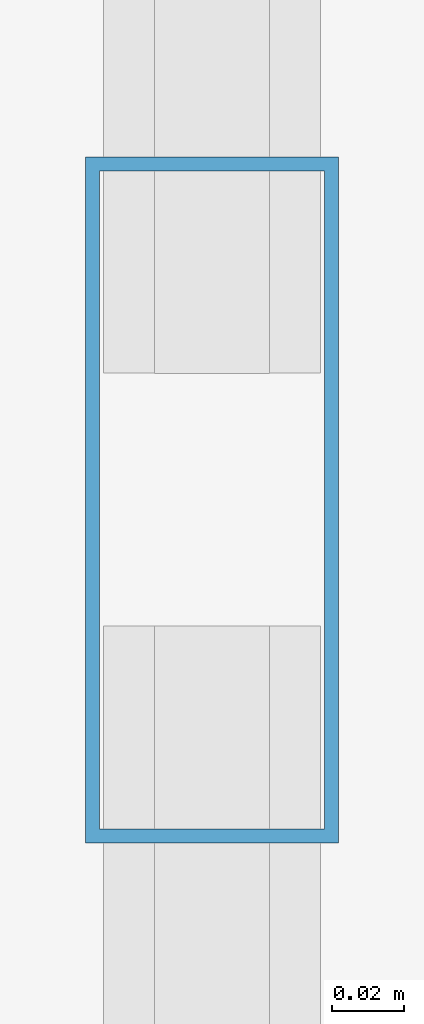
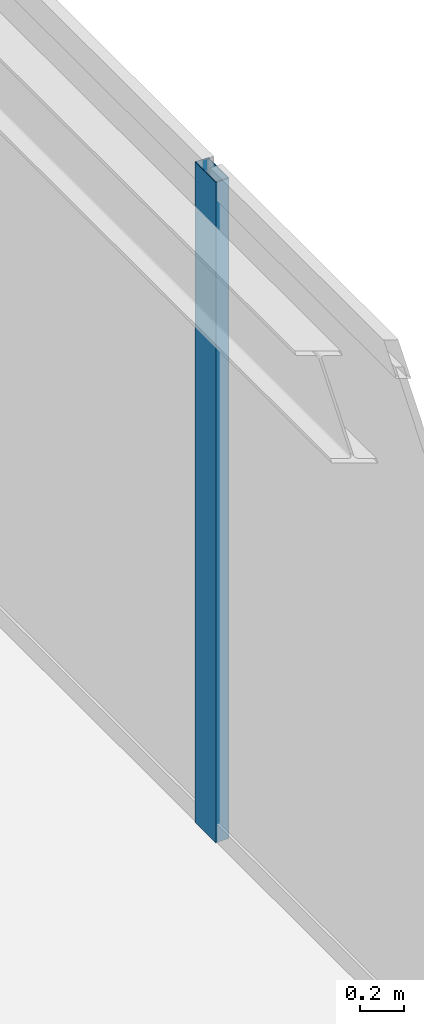
# One storey, part 20 of 30: 1 member, 1 element without a shape of its own.
"""IFC4 building model written with IfcOpenShell, lengths in metres."""

from ifc_helpers import new_model, si_unit, direction, frame, origin, origin_2d, place, context, subcontext, project, spatial, hollow_rectangle, extrude, source, transform, mapped, material, layer, layer_set, material_profile, profile_set, type_object, type_shapes, element, aggregate, save


model = new_model("IFC4")

# Units and contexts
model_context = context("Model", 3, precision=1e-05, world=origin(), true_north=direction((0.0, 1.0)))
body_context = subcontext(model_context, "Body", "Model", "MODEL_VIEW")
ifc_project = project(units=[si_unit("LENGTHUNIT", "METRE"), si_unit("AREAUNIT", "SQUARE_METRE"), si_unit("VOLUMEUNIT", "CUBIC_METRE"), si_unit("PLANEANGLEUNIT", "RADIAN"), si_unit("MASSUNIT", "GRAM", prefix="KILO")], contexts=[model_context])

# Site, building, storey
site_placement = place(None, origin())
site = spatial("IfcSite", under=ifc_project, at=site_placement, CompositionType="ELEMENT")
building_placement = place(site_placement, origin())
building = spatial("IfcBuilding", under=site, at=building_placement, Name="Varnel Quay Broadcast Tower", CompositionType="ELEMENT")
storey_placement = place(building_placement, frame((0.0, 0.0, 62.699951171875)))
storey = spatial("IfcBuildingStorey", under=building, at=storey_placement, Name="L14", CompositionType="ELEMENT", Elevation=62.699951171875)

# Curtain wall, member
ifc_material = material(Name="Anodised Bronze Aluminium 6063-T6", Category="aluminium")
ifc_layer = layer(ifc_material, 0.18994140625, Name="Anodised Bronze Aluminium 6063-T6")
ifc_layer_set = layer_set([ifc_layer], Name="Anodised Bronze Aluminium 6063-T6")
curtain_wall_type = type_object("IfcCurtainWallType", Name="CW_LowerTower", PredefinedType="NOTDEFINED", material=ifc_layer_set)
curtain_wall_placement = place(storey_placement, origin())
curtain_wall = element("IfcCurtainWall", 1, at=curtain_wall_placement, inside=storey, type_object=curtain_wall_type, Name="L14 East Unitised Curtain Wall", PredefinedType="NOTDEFINED")
ifc_material_profile = material_profile(ifc_material, hollow_rectangle(XDim=0.070068359375, YDim=0.18994140625, WallThickness=0.00390625, at=origin_2d()), Name="ALU70X190X4")
ifc_profile_set = profile_set([ifc_material_profile], Name="Anodised Bronze Aluminium 6063-T6")
member_type = type_object("IfcMemberType", Name="Mull_CWS-02", PredefinedType="MULLION", material=ifc_profile_set)
shared_shape = source(origin(), body_context, "Body", "SweptSolid", [
    extrude(hollow_rectangle(XDim=0.070068359375, YDim=0.18994140625, WallThickness=0.00390625, at=origin_2d()), origin(), (0.0, 0.0, 1.0), 3.650146484375),
])
type_shapes(member_type, [shared_shape])
member_placement = place(storey_placement, frame((65.85009765625, 30.39990234375, 0.0), z_axis=(0.0, 0.0, 1.0), x_axis=(-1.0, 0.0, 0.0)))
member = element("IfcMember", 2, at=member_placement, type_object=member_type, Name="CWS-02 mullion 3", PredefinedType="MULLION", context=body_context, shape_type="MappedRepresentation", body=[
    mapped(shared_shape, transform((0.0, 0.0, 0.0), x_axis=(1.0, 0.0, 0.0), y_axis=(0.0, 1.0, 0.0), z_axis=(0.0, 0.0, 1.0), scale=1.0)),
])
aggregate(curtain_wall, [member])

save(model, "model.ifc")
